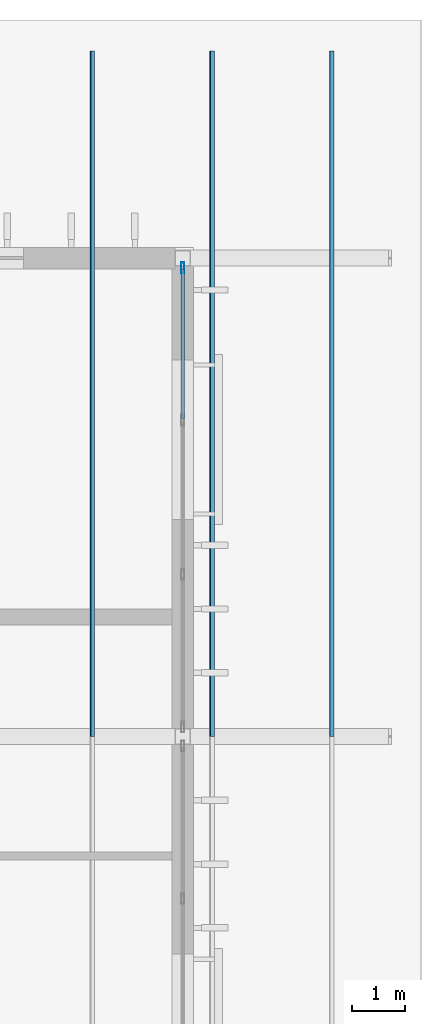
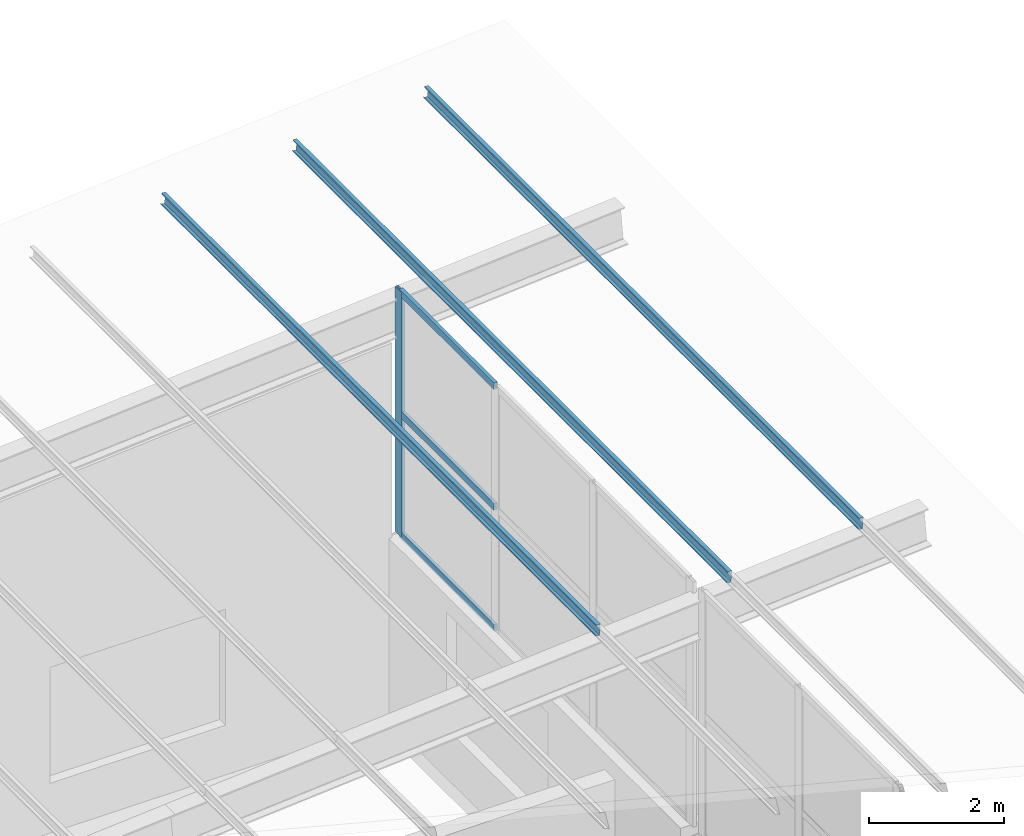
# One storey, part 62 of 85: 7 members, 1 element without a shape of its own.
"""IFC4 building model written with IfcOpenShell, lengths in metres."""

from ifc_helpers import new_model, si_unit, direction, frame, origin, origin_2d, place, context, subcontext, project, spatial, polyline, hollow_rectangle, outline, extrude, material, layer, layer_set, material_profile, profile_set, type_object, element, aggregate, save


model = new_model("IFC4")

# Units and contexts
model_context = context("Model", 3, precision=1e-05, world=origin(), true_north=direction((0.0, 1.0)))
body_context = subcontext(model_context, "Body", "Model", "MODEL_VIEW")
ifc_project = project(units=[si_unit("LENGTHUNIT", "METRE"), si_unit("AREAUNIT", "SQUARE_METRE"), si_unit("VOLUMEUNIT", "CUBIC_METRE"), si_unit("PLANEANGLEUNIT", "RADIAN"), si_unit("MASSUNIT", "GRAM", prefix="KILO")], contexts=[model_context])

# Site, building, storey
site_placement = place(None, origin())
site = spatial("IfcSite", under=ifc_project, at=site_placement, CompositionType="ELEMENT")
building_placement = place(site_placement, origin())
building = spatial("IfcBuilding", under=site, at=building_placement, Name="Opaline Strait Convention Centre", CompositionType="ELEMENT")
storey_placement = place(building_placement, frame((0.0, 0.0, 17.0)))
storey = spatial("IfcBuildingStorey", under=building, at=storey_placement, Name="L03", CompositionType="ELEMENT", Elevation=17.0)

# Curtain wall, members
ifc_material_1 = material(Name="Aluminium framed double glazing", Category="aluminium")
ifc_layer = layer(ifc_material_1, 0.199951171875)
ifc_layer_set = layer_set([ifc_layer], Name="Aluminium framed double glazing")
curtain_wall_type = type_object("IfcCurtainWallType", Name="Curtain wall 3000 module unitised", PredefinedType="NOTDEFINED", material=ifc_layer_set)
curtain_wall_placement = place(storey_placement, origin())
curtain_wall = element("IfcCurtainWall", 1, at=curtain_wall_placement, inside=storey, type_object=curtain_wall_type, Name="Clerestory curtain wall E L03 41/V", PredefinedType="NOTDEFINED")
ifc_material_2 = material(Name="Aluminium alloy 6063", Category="aluminium")
ifc_material_profile_1 = material_profile(ifc_material_2, hollow_rectangle(XDim=0.06005859375, YDim=0.199951171875, WallThickness=0.00390625, at=origin_2d()), Name="MULLION 60x200x4")
ifc_profile_set_1 = profile_set([ifc_material_profile_1], Name="Aluminium alloy 6063")
member_type_1 = type_object("IfcMemberType", Name="Curtain wall mullion 60 x 200", PredefinedType="MULLION", material=ifc_profile_set_1)
member_1_placement = place(storey_placement, frame((360.0, 179.820068359375, 3.300048828125), z_axis=(0.0, 0.0, 1.0), x_axis=(-1.0, 0.0, 0.0)))
member_1 = element("IfcMember", 2, at=member_1_placement, type_object=member_type_1, Name="MCWR1 mullion 4", PredefinedType="MULLION", context=body_context, shape_type="SweptSolid", body=[
    extrude(hollow_rectangle(XDim=0.06005859375, YDim=0.199951171875, WallThickness=0.00390625, at=origin_2d()), origin(), (0.0, 0.0, 1.0), 4.43603515625),
])
ifc_material_profile_2 = material_profile(ifc_material_2, hollow_rectangle(XDim=0.06005859375, YDim=0.1201171875, WallThickness=0.0029296875, at=origin_2d()), Name="TRANSOM 60x120x3")
ifc_profile_set_2 = profile_set([ifc_material_profile_2], Name="Aluminium alloy 6063")
member_type_2 = type_object("IfcMemberType", Name="Curtain wall transom 60 x 120", PredefinedType="USERDEFINED", material=ifc_profile_set_2)
member_2_placement = place(storey_placement, frame((360.0, 176.97998046875, 3.330078125), z_axis=(0.0, 1.0, 0.0), x_axis=(-1.0, 0.0, 0.0)))
member_2 = element("IfcMember", 3, at=member_2_placement, type_object=member_type_2, Name="MCWR1 transom 3.1", ObjectType="TRANSOM", PredefinedType="USERDEFINED", context=body_context, shape_type="SweptSolid", body=[
    extrude(hollow_rectangle(XDim=0.06005859375, YDim=0.1201171875, WallThickness=0.0029296875, at=origin_2d()), origin(), (0.0, 0.0, 1.0), 2.81005859375),
])
member_3_placement = place(storey_placement, frame((360.0, 176.97998046875, 5.51806640625), z_axis=(0.0, 1.0, 0.0), x_axis=(-1.0, 0.0, 0.0)))
member_3 = element("IfcMember", 4, at=member_3_placement, type_object=member_type_2, Name="MCWR1 transom 3.2", ObjectType="TRANSOM", PredefinedType="USERDEFINED", context=body_context, shape_type="SweptSolid", body=[
    extrude(hollow_rectangle(XDim=0.06005859375, YDim=0.1201171875, WallThickness=0.0029296875, at=origin_2d()), origin(), (0.0, 0.0, 1.0), 2.81005859375),
])
member_4_placement = place(storey_placement, frame((360.0, 176.97998046875, 7.7060546875), z_axis=(0.0, 1.0, 0.0), x_axis=(-1.0, 0.0, 0.0)))
member_4 = element("IfcMember", 5, at=member_4_placement, type_object=member_type_2, Name="MCWR1 transom 3.3", ObjectType="TRANSOM", PredefinedType="USERDEFINED", context=body_context, shape_type="SweptSolid", body=[
    extrude(hollow_rectangle(XDim=0.06005859375, YDim=0.1201171875, WallThickness=0.0029296875, at=origin_2d()), origin(), (0.0, 0.0, 1.0), 2.81005859375),
])
aggregate(curtain_wall, [member_1, member_2, member_3, member_4])

# Members
ifc_material_3 = material(Name="Steel Q355B", Category="steel")
ifc_material_profile_3 = material_profile(ifc_material_3, outline(polyline([(-0.034912109375, -0.10009765625), (0.034912109375, -0.10009765625), (0.034912109375, -0.080078125), (0.032470703125, -0.080078125), (0.032470703125, -0.097412109375), (-0.032470703125, -0.097412109375), (-0.032470703125, 0.097412109375), (0.032470703125, 0.097412109375), (0.032470703125, 0.080078125), (0.034912109375, 0.080078125), (0.034912109375, 0.10009765625), (-0.034912109375, 0.10009765625), (-0.034912109375, -0.10009765625)])), Name="C 200x70x20x2.5")
ifc_profile_set_3 = profile_set([ifc_material_profile_3], Name="Steel Q355B")
member_type_3 = type_object("IfcMemberType", Name="Roof purlin C 200x70x20x2.5", PredefinedType="PURLIN", material=ifc_profile_set_3)
for number, where, z_axis, x_axis, name in (
    (6, (358.300048828125, 171.0, 7.501953125), (0.0, 1.0, 0.0), (-0.996917333733, 0.0, 0.078459095728), "MRP1 purlin E wing 380"),
    (7, (360.550048828125, 171.0, 7.678955078125), (0.0, 1.0, 0.0), (-0.996917333733, 0.0, 0.078459095728), "MRP1 purlin E wing 390"),
    (8, (362.800048828125, 171.0, 7.856201171875), (0.0, 1.0, 0.0), (-0.996917333733, 0.0, 0.078459095728), "MRP1 purlin E wing 400"),
):
    element("IfcMember", number, at=place(storey_placement, frame(where, z_axis=z_axis, x_axis=x_axis)), inside=storey, type_object=member_type_3, Name=name, PredefinedType="PURLIN", context=body_context, shape_type="SweptSolid", body=[
        extrude(outline(polyline([(-0.034912109375, -0.10009765625), (0.034912109375, -0.10009765625), (0.034912109375, -0.080078125), (0.032470703125, -0.080078125), (0.032470703125, -0.097412109375), (-0.032470703125, -0.097412109375), (-0.032470703125, 0.097412109375), (0.032470703125, 0.097412109375), (0.032470703125, 0.080078125), (0.034912109375, 0.080078125), (0.034912109375, 0.10009765625), (-0.034912109375, 0.10009765625), (-0.034912109375, -0.10009765625)])), origin(), (0.0, 0.0, 1.0), 12.89990234375),
    ])

save(model, "model.ifc")
